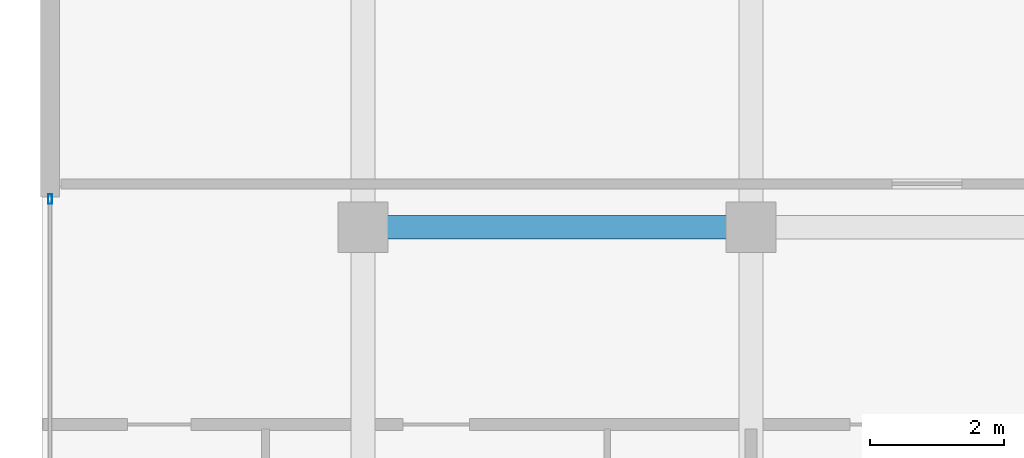
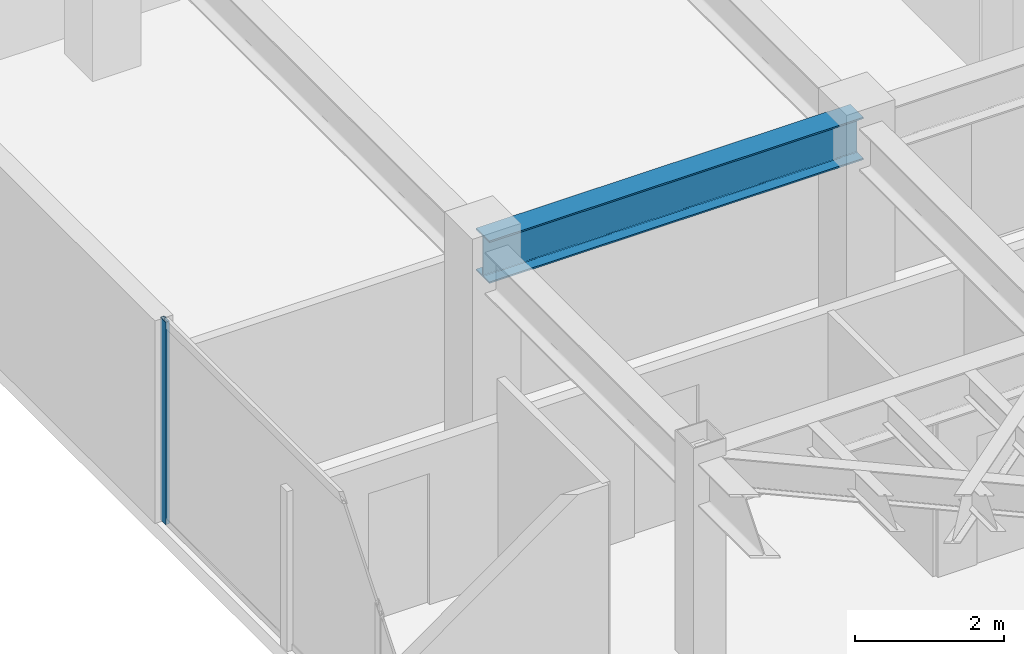
# One storey, part 11 of 19: 1 beam, 1 member, 1 element without a shape of its own.
"""IFC4 building model written with IfcOpenShell, lengths in metres."""

from ifc_helpers import new_model, si_unit, direction, frame, origin, origin_2d, place, context, subcontext, project, spatial, hollow_rectangle, i_section, extrude, material, layer, layer_set, material_profile, profile_set, type_object, element, aggregate, save


model = new_model("IFC4")

# Units and contexts
model_context = context("Model", 3, precision=1e-05, world=origin(), true_north=direction((0.0, 1.0)))
body_context = subcontext(model_context, "Body", "Model", "MODEL_VIEW")
ifc_project = project(units=[si_unit("LENGTHUNIT", "METRE"), si_unit("AREAUNIT", "SQUARE_METRE"), si_unit("VOLUMEUNIT", "CUBIC_METRE"), si_unit("PLANEANGLEUNIT", "RADIAN"), si_unit("MASSUNIT", "GRAM", prefix="KILO")], contexts=[model_context])

# Site, building, storey
site_placement = place(None, origin())
site = spatial("IfcSite", under=ifc_project, at=site_placement, CompositionType="ELEMENT")
building_placement = place(site_placement, origin())
building = spatial("IfcBuilding", under=site, at=building_placement, Name="Kravanh Interchange Tower", CompositionType="ELEMENT")
storey_placement = place(building_placement, frame((0.0, 0.0, 274.199951171875)))
storey = spatial("IfcBuildingStorey", under=building, at=storey_placement, Name="L67", CompositionType="ELEMENT", Elevation=274.199951171875)

# Curtain wall, member
ifc_material_1 = material(Name="Anodised Bronze Aluminium", Category="aluminium")
ifc_layer = layer(ifc_material_1, 0.179931640625)
ifc_layer_set = layer_set([ifc_layer], Name="Unitised Curtain Wall System CW-HTL Luxury Hotel")
curtain_wall_type = type_object("IfcCurtainWallType", Name="Unitised Curtain Wall System CW-HTL Luxury Hotel", PredefinedType="NOTDEFINED", material=ifc_layer_set)
curtain_wall_placement = place(storey_placement, origin())
curtain_wall = element("IfcCurtainWall", 1, at=curtain_wall_placement, inside=storey, type_object=curtain_wall_type, Name="L67 Unitised Curtain Wall CW-L67-01", PredefinedType="NOTDEFINED")
ifc_material_2 = material(Name="Anodised Bronze Aluminium", Category="aluminium")
ifc_material_profile_1 = material_profile(ifc_material_2, hollow_rectangle(XDim=0.06005859375, YDim=0.139892578125, WallThickness=0.00390625, at=origin_2d()), Name="ALU60X140X4")
ifc_profile_set_1 = profile_set([ifc_material_profile_1], Name="Anodised Bronze Aluminium")
member_type = type_object("IfcMemberType", Name="Curtain Wall Mullion ALU60X140X4 Bronze", PredefinedType="MULLION", material=ifc_profile_set_1)
member_placement = place(storey_placement, frame((28.1201171875, 37.77001953125, 0.0), z_axis=(0.0, 0.0, 1.0), x_axis=(-1.0, 0.0, 0.0)))
member = element("IfcMember", 2, at=member_placement, type_object=member_type, Name="CW-HTL mullion 4", PredefinedType="MULLION", context=body_context, shape_type="SweptSolid", body=[
    extrude(hollow_rectangle(XDim=0.06005859375, YDim=0.139892578125, WallThickness=0.00390625, at=origin_2d()), origin(), (0.0, 0.0, 1.0), 3.320068359375),
])
aggregate(curtain_wall, [member])

# Beam
ifc_material_3 = material(Name="Structural Steel S355", Category="steel")
ifc_material_profile_2 = material_profile(ifc_material_3, i_section(OverallWidth=0.35498046875, OverallDepth=0.696044921875, WebThickness=0.015380859375, FlangeThickness=0.02490234375, FilletRadius=0.02392578125, at=origin_2d()), Name="W27X146")
ifc_profile_set_2 = profile_set([ifc_material_profile_2], Name="Structural Steel S355")
beam_type = type_object("IfcBeamType", Name="Floor Beam W27X146 Structural Steel S355", PredefinedType="BEAM", material=ifc_profile_set_2)
beam_placement = place(storey_placement, frame((38.60009765625, 37.35009765625, 2.97216796875), z_axis=(-1.0, 0.0, 0.0), x_axis=(0.0, -1.0, 0.0)))
element("IfcBeam", 3, at=beam_placement, inside=storey, type_object=beam_type, Name="L67 Primary Floor Girder 46", PredefinedType="BEAM", context=body_context, shape_type="SweptSolid", body=[
    extrude(i_section(OverallWidth=0.35498046875, OverallDepth=0.696044921875, WebThickness=0.015380859375, FlangeThickness=0.02490234375, FilletRadius=0.02392578125, at=origin_2d()), origin(), (0.0, 0.0, 1.0), 5.800048828125),
])

save(model, "model.ifc")
